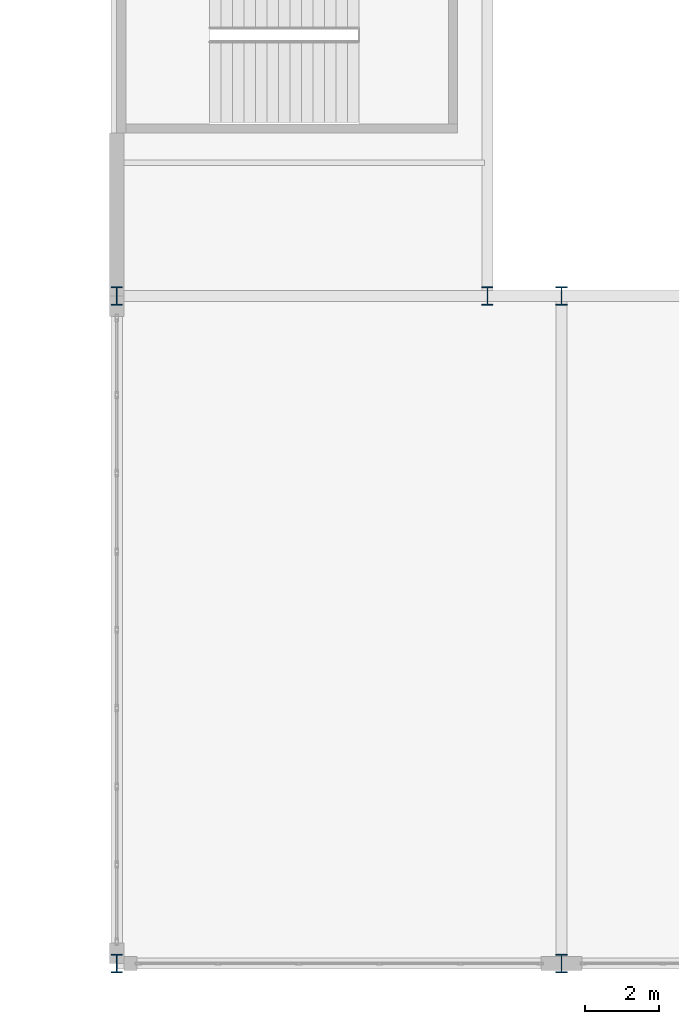
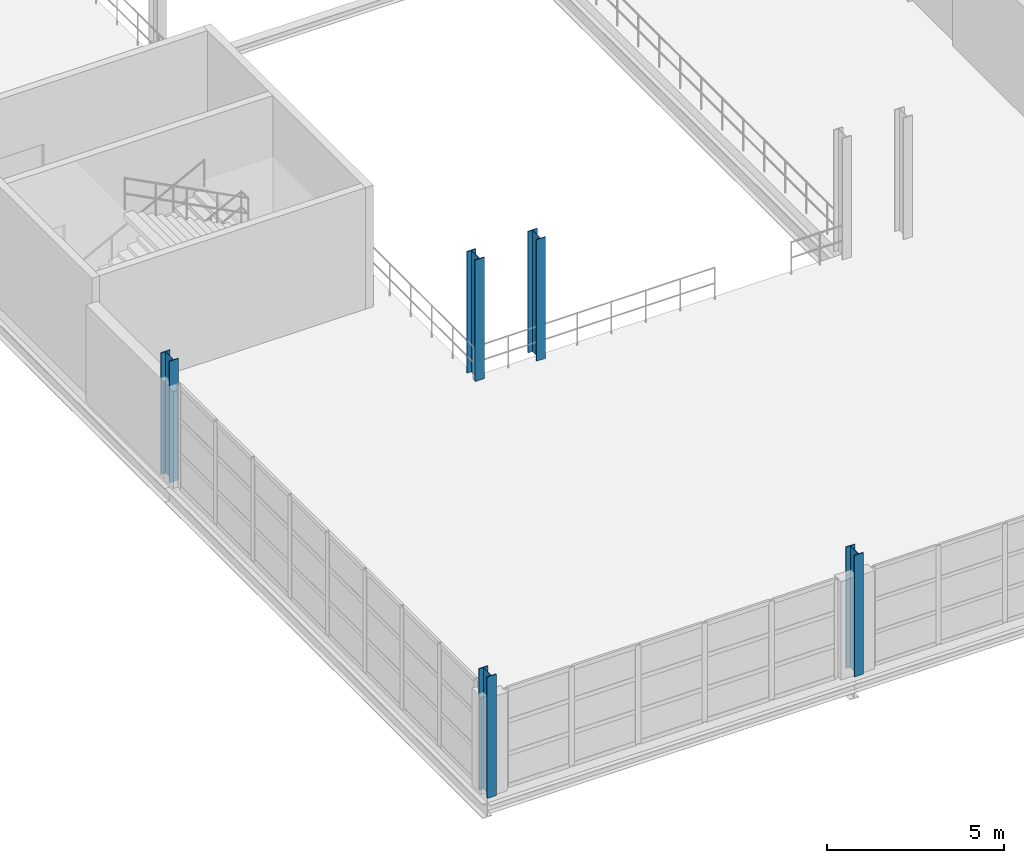
# One storey, part 1 of 158: 5 columns.
"""IFC4 building model written with IfcOpenShell, lengths in metres."""

from ifc_helpers import new_model, si_unit, direction, frame, origin, origin_2d, place, context, subcontext, project, spatial, i_section, extrude, material, material_profile, profile_set, type_object, element, save


model = new_model("IFC4")

# Units and contexts
model_context = context("Model", 3, precision=1e-05, world=origin(), true_north=direction((0.0, 1.0)))
body_context = subcontext(model_context, "Body", "Model", "MODEL_VIEW")
ifc_project = project(units=[si_unit("LENGTHUNIT", "METRE"), si_unit("AREAUNIT", "SQUARE_METRE"), si_unit("VOLUMEUNIT", "CUBIC_METRE"), si_unit("PLANEANGLEUNIT", "RADIAN"), si_unit("MASSUNIT", "GRAM", prefix="KILO")], contexts=[model_context])

# Site, building, storey
site_placement = place(None, origin())
site = spatial("IfcSite", under=ifc_project, at=site_placement, CompositionType="ELEMENT")
building_placement = place(site_placement, origin())
building = spatial("IfcBuilding", under=site, at=building_placement, Name="Zilviju Railside Exhibition Hall", CompositionType="ELEMENT")
storey_placement = place(building_placement, frame((0.0, 0.0, 4.199951171875)))
storey = spatial("IfcBuildingStorey", under=building, at=storey_placement, Name="L02", CompositionType="ELEMENT", Elevation=4.199951171875)

# Columns
ifc_material = material(Name="Steel S355J2", Category="steel")
ifc_material_profile = material_profile(ifc_material, i_section(OverallWidth=0.300048828125, OverallDepth=0.5, WebThickness=0.014404296875, FlangeThickness=0.028076171875, at=origin_2d()), Name="HEB 500")
ifc_profile_set = profile_set([ifc_material_profile], Name="Steel S355J2")
column_type = type_object("IfcColumnType", Name="COL-ST-HEB500", PredefinedType="COLUMN", material=ifc_profile_set)
for number, where, z_axis, x_axis, name in (
    (1, (48.0, 0.0, 0.0), (0.0, 0.0, 1.0), (1.0, 0.0, 0.0), "Structural Column L02 (48.0, 0.0)"),
    (2, (60.0, 0.0, 0.0), (0.0, 0.0, 1.0), (1.0, 0.0, 0.0), "Structural Column L02 (60.0, 0.0)"),
    (3, (48.0, 18.0, 0.0), (0.0, 0.0, 1.0), (1.0, 0.0, 0.0), "Structural Column L02 (48.0, 18.0)"),
    (4, (58.0, 18.0, 0.0), (0.0, 0.0, 1.0), (1.0, 0.0, 0.0), "Structural Column L02 (58.0, 18.0)"),
    (5, (60.0, 18.0, 0.0), (0.0, 0.0, 1.0), (1.0, 0.0, 0.0), "Structural Column L02 (60.0, 18.0)"),
):
    element("IfcColumn", number, at=place(storey_placement, frame(where, z_axis=z_axis, x_axis=x_axis)), inside=storey, type_object=column_type, Name=name, PredefinedType="COLUMN", context=body_context, shape_type="SweptSolid", body=[
        extrude(i_section(OverallWidth=0.300048828125, OverallDepth=0.5, WebThickness=0.014404296875, FlangeThickness=0.028076171875, at=origin_2d()), origin(), (0.0, 0.0, 1.0), 4.199951171875),
    ])

save(model, "model.ifc")
